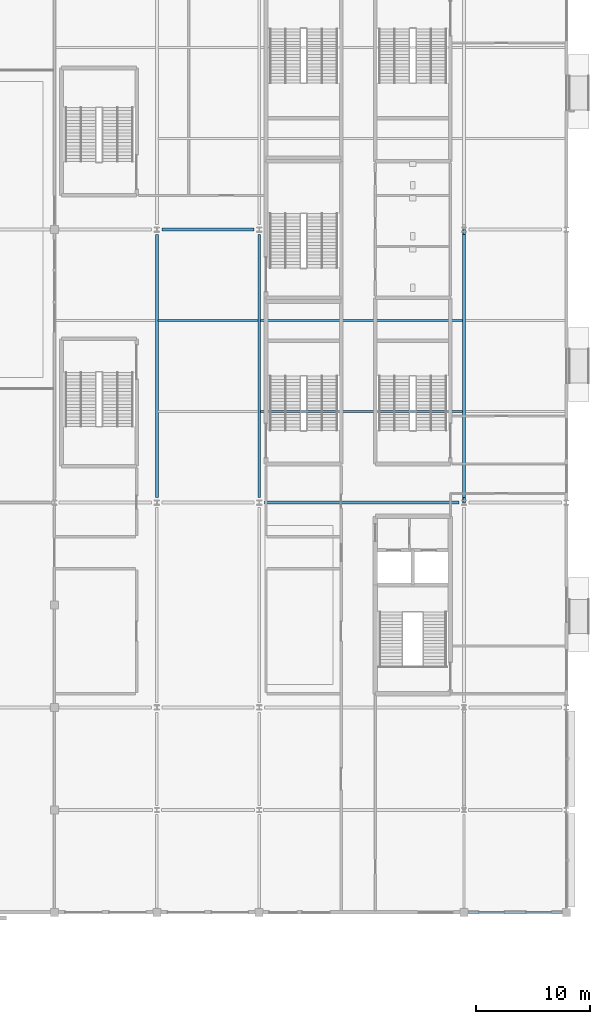
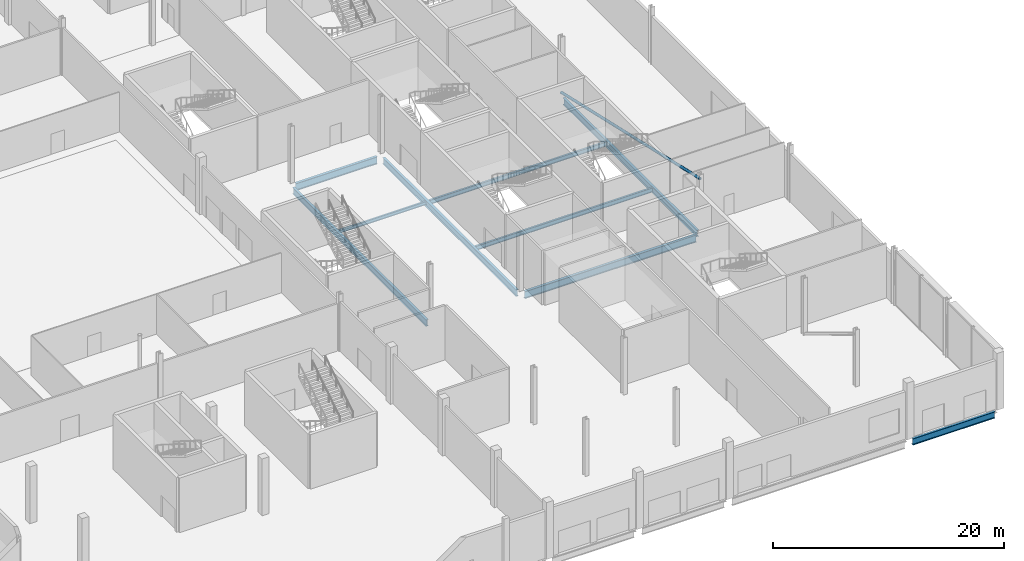
# One storey, part 24 of 84: 9 beams, 1 member.
"""IFC4 building model written with IfcOpenShell, lengths in metres."""

from ifc_helpers import new_model, si_unit, direction, frame, origin, origin_2d, place, context, subcontext, project, spatial, hollow_circle, i_section, extrude, material, material_profile, profile_set, type_object, element, save


model = new_model("IFC4")

# Units and contexts
model_context = context("Model", 3, precision=1e-05, world=origin(), true_north=direction((0.0, 1.0)))
body_context = subcontext(model_context, "Body", "Model", "MODEL_VIEW")
ifc_project = project(units=[si_unit("LENGTHUNIT", "METRE"), si_unit("AREAUNIT", "SQUARE_METRE"), si_unit("VOLUMEUNIT", "CUBIC_METRE"), si_unit("PLANEANGLEUNIT", "RADIAN"), si_unit("MASSUNIT", "GRAM", prefix="KILO")], contexts=[model_context])

# Site, building, storey
site_placement = place(None, origin())
site = spatial("IfcSite", under=ifc_project, at=site_placement, CompositionType="ELEMENT")
building_placement = place(site_placement, origin())
building = spatial("IfcBuilding", under=site, at=building_placement, Name="Kisiwana Market Hall", CompositionType="ELEMENT")
storey_placement = place(building_placement, origin())
storey = spatial("IfcBuildingStorey", under=building, at=storey_placement, Name="L00", CompositionType="ELEMENT", Elevation=0.0)

# Beams
ifc_material_1 = material(Name="Steel S355", Category="steel")
ifc_material_profile_1 = material_profile(ifc_material_1, i_section(OverallWidth=0.253662109375, OverallDepth=0.68359375, WebThickness=0.012451171875, FlangeThickness=0.01904296875, at=origin_2d()), Name="UB 686x254x140")
ifc_profile_set_1 = profile_set([ifc_material_profile_1], Name="Steel S355")
beam_type_1 = type_object("IfcBeamType", Name="BM-GIRD-UB686", PredefinedType="BEAM", material=ifc_profile_set_1)
beam_1_placement = place(storey_placement, frame((189.39599609375, 0.0, -0.601806640625), z_axis=(1.0, 0.0, 0.0), x_axis=(0.0, 1.0, 0.0)))
element("IfcBeam", 1, at=beam_1_placement, inside=storey, type_object=beam_type_1, Name="Floor beam B-0160", PredefinedType="BEAM", context=body_context, shape_type="SweptSolid", body=[
    extrude(i_section(OverallWidth=0.253662109375, OverallDepth=0.68359375, WebThickness=0.012451171875, FlangeThickness=0.01904296875, at=origin_2d()), origin(), (0.0, 0.0, 1.0), 8.2080078125),
])
for number, where, z_axis, x_axis, name in (
    (2, (171.0, 36.446044921875, -0.601806640625), (0.0, 1.0, 0.0), (-1.0, 0.0, 0.0), "Floor beam B-0287"),
    (3, (162.0, 36.446044921875, -0.601806640625), (0.0, 1.0, 0.0), (-1.0, 0.0, 0.0), "Primary girder B-0097"),
    (4, (189.0, 36.446044921875, -0.601806640625), (0.0, 1.0, 0.0), (-1.0, 0.0, 0.0), "Primary girder B-0113"),
):
    element("IfcBeam", number, at=place(storey_placement, frame(where, z_axis=z_axis, x_axis=x_axis)), inside=storey, type_object=beam_type_1, Name=name, PredefinedType="BEAM", context=body_context, shape_type="SweptSolid", body=[
        extrude(i_section(OverallWidth=0.253662109375, OverallDepth=0.68359375, WebThickness=0.012451171875, FlangeThickness=0.01904296875, at=origin_2d()), origin(), (0.0, 0.0, 1.0), 23.10791015625),
    ])
ifc_material_2 = material(Name="Steel S355", Category="steel")
ifc_material_profile_2 = material_profile(ifc_material_2, i_section(OverallWidth=0.2666015625, OverallDepth=0.76220703125, WebThickness=0.014404296875, FlangeThickness=0.021484375, at=origin_2d()), Name="UB 762x267x173")
ifc_profile_set_2 = profile_set([ifc_material_profile_2], Name="Steel S355")
beam_type_2 = type_object("IfcBeamType", Name="BM-GIRD-UB762", PredefinedType="BEAM", material=ifc_profile_set_2)
beam_2_placement = place(storey_placement, frame((171.446044921875, 36.0, -0.64111328125), z_axis=(1.0, 0.0, 0.0), x_axis=(0.0, 1.0, 0.0)))
element("IfcBeam", 5, at=beam_2_placement, inside=storey, type_object=beam_type_2, Name="Floor beam B-0197", PredefinedType="BEAM", context=body_context, shape_type="SweptSolid", body=[
    extrude(i_section(OverallWidth=0.2666015625, OverallDepth=0.76220703125, WebThickness=0.014404296875, FlangeThickness=0.021484375, at=origin_2d()), origin(), (0.0, 0.0, 1.0), 17.10791015625),
])
beam_3_placement = place(storey_placement, frame((162.446044921875, 60.0, -0.64111328125), z_axis=(1.0, 0.0, 0.0), x_axis=(0.0, 1.0, 0.0)))
element("IfcBeam", 6, at=beam_3_placement, inside=storey, type_object=beam_type_2, Name="Floor beam B-0002", PredefinedType="BEAM", context=body_context, shape_type="SweptSolid", body=[
    extrude(i_section(OverallWidth=0.2666015625, OverallDepth=0.76220703125, WebThickness=0.014404296875, FlangeThickness=0.021484375, at=origin_2d()), origin(), (0.0, 0.0, 1.0), 8.10791015625),
])
ifc_material_3 = material(Name="Steel S355", Category="steel")
ifc_material_profile_3 = material_profile(ifc_material_3, i_section(OverallWidth=0.17138671875, OverallDepth=0.35498046875, WebThickness=0.00732421875, FlangeThickness=0.011474609375, at=origin_2d()), Name="UB 356x171x51")
ifc_profile_set_3 = profile_set([ifc_material_profile_3], Name="Steel S355")
beam_type_3 = type_object("IfcBeamType", Name="BM-JOIST-UB356", PredefinedType="JOIST", material=ifc_profile_set_3)
beam_4_placement = place(storey_placement, frame((162.125732421875, 52.0, -0.4375), z_axis=(1.0, 0.0, 0.0), x_axis=(0.0, 1.0, 0.0)))
element("IfcBeam", 7, at=beam_4_placement, inside=storey, type_object=beam_type_3, Name="Secondary floor joist B-0130", PredefinedType="JOIST", context=body_context, shape_type="SweptSolid", body=[
    extrude(i_section(OverallWidth=0.17138671875, OverallDepth=0.35498046875, WebThickness=0.00732421875, FlangeThickness=0.011474609375, at=origin_2d()), origin(), (0.0, 0.0, 1.0), 8.74853515625),
])
ifc_material_4 = material(Name="Steel S355", Category="steel")
ifc_material_profile_4 = material_profile(ifc_material_4, i_section(OverallWidth=0.18994140625, OverallDepth=0.453369140625, WebThickness=0.008544921875, FlangeThickness=0.0126953125, at=origin_2d()), Name="UB 457x191x67")
ifc_profile_set_4 = profile_set([ifc_material_profile_4], Name="Steel S355")
beam_type_4 = type_object("IfcBeamType", Name="BM-JOIST-UB457", PredefinedType="JOIST", material=ifc_profile_set_4)
for number, where, z_axis, x_axis, name in (
    (8, (171.125732421875, 44.0, -0.48681640625), (1.0, 0.0, 0.0), (0.0, 1.0, 0.0), "Secondary floor joist B-0123"),
    (9, (171.125732421875, 52.0, -0.48681640625), (1.0, 0.0, 0.0), (0.0, 1.0, 0.0), "Secondary floor joist B-0131"),
):
    element("IfcBeam", number, at=place(storey_placement, frame(where, z_axis=z_axis, x_axis=x_axis)), inside=storey, type_object=beam_type_4, Name=name, PredefinedType="JOIST", context=body_context, shape_type="SweptSolid", body=[
        extrude(i_section(OverallWidth=0.18994140625, OverallDepth=0.453369140625, WebThickness=0.008544921875, FlangeThickness=0.0126953125, at=origin_2d()), origin(), (0.0, 0.0, 1.0), 17.74853515625),
    ])

# Member
ifc_material_5 = material(Name="Steel S355", Category="steel")
ifc_material_profile_5 = material_profile(ifc_material_5, hollow_circle(Radius=0.136474609375, WallThickness=0.012451171875, at=origin_2d()), Name="CHS 273.0x12.5")
ifc_profile_set_5 = profile_set([ifc_material_profile_5], Name="Steel S355")
member_type = type_object("IfcMemberType", Name="MB-CBF-CHS273", PredefinedType="BRACE", material=ifc_profile_set_5)
member_placement = place(storey_placement, frame((189.0, 60.0, 0.0), z_axis=(0.0, -0.975173182165, 0.221443592788), x_axis=(1.0, 0.0, 0.0)))
element("IfcMember", 10, at=member_placement, inside=storey, type_object=member_type, Name="CBF-POD-E diagonal brace (L00) M-0012", PredefinedType="BRACE", context=body_context, shape_type="SweptSolid", body=[
    extrude(hollow_circle(Radius=0.136474609375, WallThickness=0.012451171875, at=origin_2d()), origin(), (0.0, 0.0, 1.0), 24.611083984375),
])

save(model, "model.ifc")
